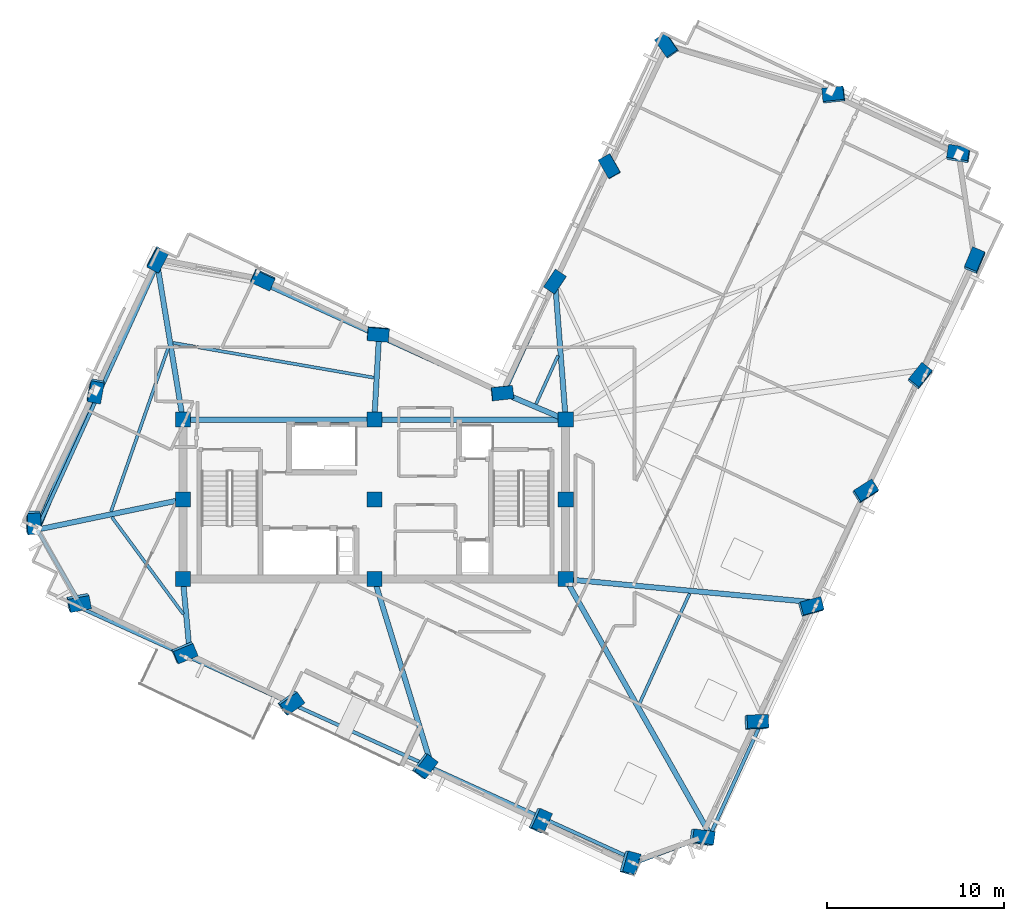
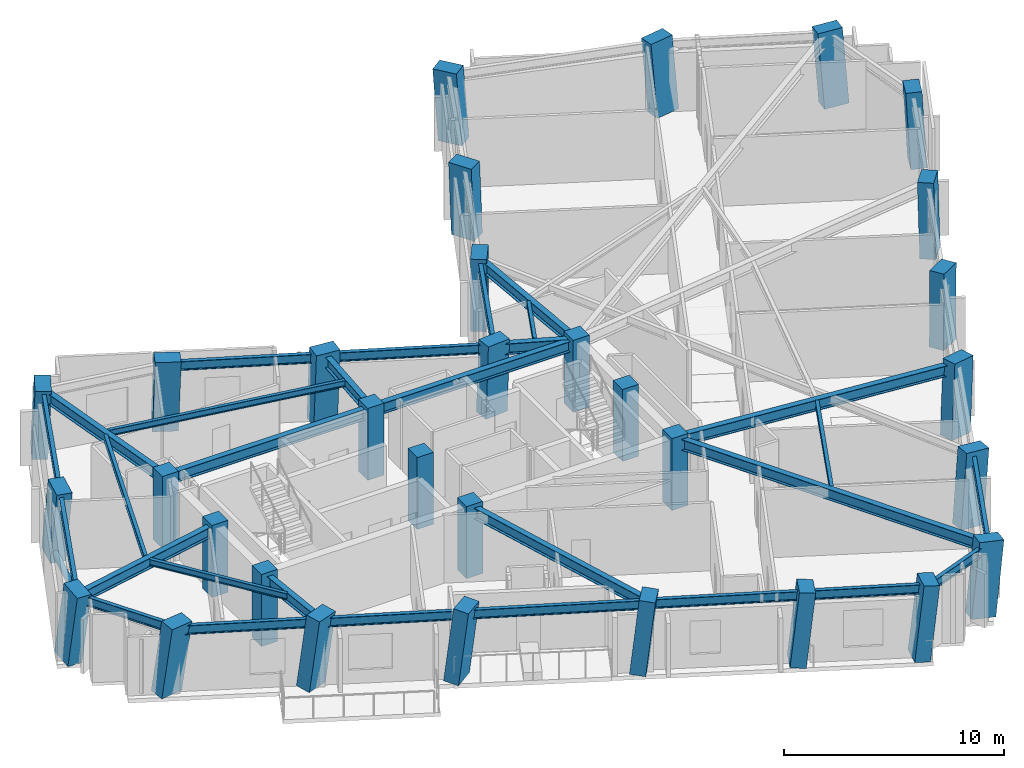
# One storey, part 1 of 13: 32 columns, 29 beams, 1 member.
"""IFC4 building model written with IfcOpenShell, lengths in metres."""

from ifc_helpers import new_model, si_unit, direction, frame, origin, origin_2d, place, context, subcontext, project, spatial, rectangle, hollow_circle, i_section, extrude, material, material_profile, profile_set, type_object, element, save


model = new_model("IFC4")

# Units and contexts
model_context = context("Model", 3, precision=1e-05, world=origin(), true_north=direction((0.0, 1.0)))
body_context = subcontext(model_context, "Body", "Model", "MODEL_VIEW")
ifc_project = project(units=[si_unit("LENGTHUNIT", "METRE"), si_unit("AREAUNIT", "SQUARE_METRE"), si_unit("VOLUMEUNIT", "CUBIC_METRE"), si_unit("PLANEANGLEUNIT", "RADIAN"), si_unit("MASSUNIT", "GRAM", prefix="KILO")], contexts=[model_context])

# Site, building, storey
site_placement = place(None, origin())
site = spatial("IfcSite", under=ifc_project, at=site_placement, CompositionType="ELEMENT")
building_placement = place(site_placement, origin())
building = spatial("IfcBuilding", under=site, at=building_placement, Name="Gaonmaruhae Medical Tower", CompositionType="ELEMENT")
storey_placement = place(building_placement, frame((0.0, 0.0, 300.60009765625)))
storey = spatial("IfcBuildingStorey", under=building, at=storey_placement, Name="L72", CompositionType="ELEMENT", Elevation=300.60009765625)

# Columns
ifc_material_1 = material(Name="Concrete C50/60", Category="concrete")
ifc_material_profile_1 = material_profile(ifc_material_1, rectangle(XDim=0.85009765625, YDim=0.85009765625, at=origin_2d()), Name="RC-850x850")
ifc_profile_set_1 = profile_set([ifc_material_profile_1], Name="Concrete C50/60")
column_type_1 = type_object("IfcColumnType", Name="CC-06 Upper Core Column (RC-850x850)", PredefinedType="COLUMN", material=ifc_profile_set_1)
for number, where, z_axis, x_axis, name in (
    (1, (14.0, 7.800048828125, 0.0), (0.0, 0.0, 1.0), (1.0, 0.0, 0.0), "L72 Plumb Core Column CC11"),
    (2, (14.0, 12.300048828125, 0.0), (0.0, 0.0, 1.0), (1.0, 0.0, 0.0), "L72 Plumb Core Column CC12"),
    (3, (14.0, 16.800048828125, 0.0), (0.0, 0.0, 1.0), (1.0, 0.0, 0.0), "L72 Plumb Core Column CC13"),
    (4, (24.800048828125, 7.800048828125, 0.0), (0.0, 0.0, 1.0), (1.0, 0.0, 0.0), "L72 Plumb Core Column CC21"),
    (5, (24.800048828125, 12.300048828125, 0.0), (0.0, 0.0, 1.0), (1.0, 0.0, 0.0), "L72 Plumb Core Column CC22"),
    (6, (24.800048828125, 16.800048828125, 0.0), (0.0, 0.0, 1.0), (1.0, 0.0, 0.0), "L72 Plumb Core Column CC23"),
    (7, (35.60009765625, 7.800048828125, 0.0), (0.0, 0.0, 1.0), (1.0, 0.0, 0.0), "L72 Plumb Core Column CC31"),
    (8, (35.60009765625, 12.300048828125, 0.0), (0.0, 0.0, 1.0), (1.0, 0.0, 0.0), "L72 Plumb Core Column CC32"),
    (9, (35.60009765625, 16.800048828125, 0.0), (0.0, 0.0, 1.0), (1.0, 0.0, 0.0), "L72 Plumb Core Column CC33"),
):
    element("IfcColumn", number, at=place(storey_placement, frame(where, z_axis=z_axis, x_axis=x_axis)), inside=storey, type_object=column_type_1, Name=name, PredefinedType="COLUMN", context=body_context, shape_type="SweptSolid", body=[
        extrude(rectangle(XDim=0.85009765625, YDim=0.85009765625, at=origin_2d()), origin(), (0.0, 0.0, 1.0), 4.0),
    ])
ifc_material_profile_2 = material_profile(ifc_material_1, rectangle(XDim=1.199951171875, YDim=0.75, at=origin_2d()), Name="RC-1200x750")
ifc_profile_set_2 = profile_set([ifc_material_profile_2], Name="Concrete C50/60")
column_type_2 = type_object("IfcColumnType", Name="TC-03 Upper Raking Tube Pier Column (RC-1200x750)", PredefinedType="COLUMN", material=ifc_profile_set_2)
column_1_placement = place(storey_placement, frame((43.2333984375, -6.78515625, 0.001708984375), z_axis=(0.129405517945, 0.040673764293, 0.990757213864), x_axis=(-0.982420567926, 0.140836931585, 0.122534837571)))
element("IfcColumn", 10, at=column_1_placement, inside=storey, type_object=column_type_2, Name="L72 Perimeter Tube Column S01", PredefinedType="COLUMN", context=body_context, shape_type="SweptSolid", body=[
    extrude(rectangle(XDim=1.199951171875, YDim=0.75, at=origin_2d()), origin(), (0.0, 0.0, 1.0), 4.03369140625),
])
column_2_placement = place(storey_placement, frame((46.32177734375, -0.281005859375, 0.001708984375), z_axis=(0.102792676541, 0.053216751669, 0.993278230402), x_axis=(-0.994016104987, -0.031602648688, 0.104562209344)))
element("IfcColumn", 11, at=column_2_placement, inside=storey, type_object=column_type_2, Name="L72 Perimeter Tube Column S02", PredefinedType="COLUMN", context=body_context, shape_type="SweptSolid", body=[
    extrude(rectangle(XDim=1.199951171875, YDim=0.75, at=origin_2d()), origin(), (0.0, 0.0, 1.0), 4.0234375),
])
column_3_placement = place(storey_placement, frame((49.409912109375, 6.222900390625, 0.001708984375), z_axis=(0.076097885898, 0.065825886923, 0.994925155161), x_axis=(-0.960348129211, -0.263571984323, 0.090891582674)))
element("IfcColumn", 12, at=column_3_placement, inside=storey, type_object=column_type_2, Name="L72 Perimeter Tube Column S03", PredefinedType="COLUMN", context=body_context, shape_type="SweptSolid", body=[
    extrude(rectangle(XDim=1.199951171875, YDim=0.75, at=origin_2d()), origin(), (0.0, 0.0, 1.0), 4.0166015625),
])
column_4_placement = place(storey_placement, frame((52.498291015625, 12.72705078125, 0.001708984375), z_axis=(0.04914978731, 0.078408509707, 0.995708995647), x_axis=(-0.841156685333, -0.534291503699, 0.083594376567)))
element("IfcColumn", 13, at=column_4_placement, inside=storey, type_object=column_type_2, Name="L72 Perimeter Tube Column S04", PredefinedType="COLUMN", context=body_context, shape_type="SweptSolid", body=[
    extrude(rectangle(XDim=1.199951171875, YDim=0.75, at=origin_2d()), origin(), (0.0, 0.0, 1.0), 4.013671875),
])
column_5_placement = place(storey_placement, frame((55.586669921875, 19.23095703125, 0.001708984375), z_axis=(0.022200352556, 0.090930211153, 0.995609783523), x_axis=(-0.630008671759, -0.771971398071, 0.084553143461)))
element("IfcColumn", 14, at=column_5_placement, inside=storey, type_object=column_type_2, Name="L72 Perimeter Tube Column S05", PredefinedType="COLUMN", context=body_context, shape_type="SweptSolid", body=[
    extrude(rectangle(XDim=1.199951171875, YDim=0.75, at=origin_2d()), origin(), (0.0, 0.0, 1.0), 4.013916015625),
])
column_6_placement = place(storey_placement, frame((58.6748046875, 25.735107421875, 0.001708984375), z_axis=(-0.004678768138, 0.103358241585, 0.994633190189), x_axis=(-0.387865677162, -0.916965064214, 0.093462759917)))
element("IfcColumn", 15, at=column_6_placement, inside=storey, type_object=column_type_2, Name="L72 Perimeter Tube Column S06", PredefinedType="COLUMN", context=body_context, shape_type="SweptSolid", body=[
    extrude(rectangle(XDim=1.199951171875, YDim=0.75, at=origin_2d()), origin(), (0.0, 0.0, 1.0), 4.017822265625),
])
column_7_placement = place(storey_placement, frame((57.76953125, 31.75537109375, 0.001708984375), z_axis=(-0.029469488843, 0.099406358241, 0.9946104389), x_axis=(0.987337085248, -0.152274829921, 0.04447309598)))
element("IfcColumn", 16, at=column_7_placement, inside=storey, type_object=column_type_2, Name="L72 Perimeter Tube Column E01", PredefinedType="COLUMN", context=body_context, shape_type="SweptSolid", body=[
    extrude(rectangle(XDim=1.199951171875, YDim=0.75, at=origin_2d()), origin(), (0.0, 0.0, 1.0), 4.01806640625),
])
column_8_placement = place(storey_placement, frame((50.7236328125, 35.100830078125, 0.001708984375), z_axis=(-0.043165701388, 0.070380184492, 0.996585847709), x_axis=(0.993531986514, 0.10788896323, 0.03541416928)))
element("IfcColumn", 17, at=column_8_placement, inside=storey, type_object=column_type_2, Name="L72 Perimeter Tube Column E02", PredefinedType="COLUMN", context=body_context, shape_type="SweptSolid", body=[
    extrude(rectangle(XDim=1.199951171875, YDim=0.75, at=origin_2d()), origin(), (0.0, 0.0, 1.0), 4.010009765625),
])
column_9_placement = place(storey_placement, frame((41.31787109375, 37.906494140625, 0.001708984375), z_axis=(-0.054507164041, 0.031460510788, 0.998017637785), x_axis=(0.566397180495, -0.822169184198, 0.056851266321)))
element("IfcColumn", 18, at=column_9_placement, inside=storey, type_object=column_type_2, Name="L72 Perimeter Tube Column E03", PredefinedType="COLUMN", context=body_context, shape_type="SweptSolid", body=[
    extrude(rectangle(XDim=1.199951171875, YDim=0.75, at=origin_2d()), origin(), (0.0, 0.0, 1.0), 4.00439453125),
])
column_10_placement = place(storey_placement, frame((38.079345703125, 31.08642578125, 0.001708984375), z_axis=(-0.026194684304, 0.018317961052, 0.999489014856), x_axis=(0.494092812205, -0.868929550231, 0.028874377268)))
element("IfcColumn", 19, at=column_10_placement, inside=storey, type_object=column_type_2, Name="L72 Perimeter Tube Column EN01", PredefinedType="COLUMN", context=body_context, shape_type="SweptSolid", body=[
    extrude(rectangle(XDim=1.199951171875, YDim=0.75, at=origin_2d()), origin(), (0.0, 0.0, 1.0), 3.998291015625),
])
column_11_placement = place(storey_placement, frame((34.990966796875, 24.582275390625, 0.001708984375), z_axis=(0.000855260499, 0.005803553386, 0.999982793501), x_axis=(-0.556050371387, -0.83113170028, 0.005299176292)))
element("IfcColumn", 20, at=column_11_placement, inside=storey, type_object=column_type_2, Name="L72 Perimeter Tube Column EN02", PredefinedType="COLUMN", context=body_context, shape_type="SweptSolid", body=[
    extrude(rectangle(XDim=1.199951171875, YDim=0.75, at=origin_2d()), origin(), (0.0, 0.0, 1.0), 3.996337890625),
])
column_12_placement = place(storey_placement, frame((32.010009765625, 18.30419921875, 0.001708984375), z_axis=(0.026991866876, -0.006412095072, 0.999615088001), x_axis=(-0.993728764911, -0.108720172199, 0.026135530332)))
element("IfcColumn", 21, at=column_12_placement, inside=storey, type_object=column_type_2, Name="L72 Perimeter Tube Column KN01", PredefinedType="COLUMN", context=body_context, shape_type="SweptSolid", body=[
    extrude(rectangle(XDim=1.199951171875, YDim=0.75, at=origin_2d()), origin(), (0.0, 0.0, 1.0), 3.997802734375),
])
column_13_placement = place(storey_placement, frame((25.009033203125, 21.628173828125, 0.001708984375), z_axis=(0.013491405719, -0.03546835621, 0.999279729445), x_axis=(-0.996704976374, 0.079462236708, 0.016277070029)))
element("IfcColumn", 22, at=column_13_placement, inside=storey, type_object=column_type_2, Name="L72 Perimeter Tube Column NE01", PredefinedType="COLUMN", context=body_context, shape_type="SweptSolid", body=[
    extrude(rectangle(XDim=1.199951171875, YDim=0.75, at=origin_2d()), origin(), (0.0, 0.0, 1.0), 3.999267578125),
])
column_14_placement = place(storey_placement, frame((18.505126953125, 24.716552734375, 0.001708984375), z_axis=(0.000853606278, -0.062435202046, 0.998048654576), x_axis=(-0.909103236129, 0.415708995205, 0.026783154524)))
element("IfcColumn", 23, at=column_14_placement, inside=storey, type_object=column_type_2, Name="L72 Perimeter Tube Column NE02", PredefinedType="COLUMN", context=body_context, shape_type="SweptSolid", body=[
    extrude(rectangle(XDim=1.199951171875, YDim=0.75, at=origin_2d()), origin(), (0.0, 0.0, 1.0), 4.004150390625),
])
column_15_placement = place(storey_placement, frame((12.5771484375, 25.870849609375, 0.001708984375), z_axis=(-0.003712450328, -0.086846993742, 0.996214744616), x_axis=(0.466977398551, 0.880775881553, 0.078523599749)))
element("IfcColumn", 24, at=column_15_placement, inside=storey, type_object=column_type_2, Name="L72 Perimeter Tube Column N01", PredefinedType="COLUMN", context=body_context, shape_type="SweptSolid", body=[
    extrude(rectangle(XDim=1.199951171875, YDim=0.75, at=origin_2d()), origin(), (0.0, 0.0, 1.0), 4.011474609375),
])
column_16_placement = place(storey_placement, frame((9.06005859375, 18.46337890625, 0.001708984375), z_axis=(0.026915333163, -0.100917310121, 0.994530673915), x_axis=(0.182932695043, 0.978587726535, 0.094348770839)))
element("IfcColumn", 25, at=column_16_placement, inside=storey, type_object=column_type_2, Name="L72 Perimeter Tube Column N02", PredefinedType="COLUMN", context=body_context, shape_type="SweptSolid", body=[
    extrude(rectangle(XDim=1.199951171875, YDim=0.75, at=origin_2d()), origin(), (0.0, 0.0, 1.0), 4.018310546875),
])
column_17_placement = place(storey_placement, frame((5.542724609375, 11.05615234375, 0.001708984375), z_axis=(0.057434751966, -0.114869503932, 0.991718834314), x_axis=(-0.016987120789, 0.993102357806, 0.116013553724)))
element("IfcColumn", 26, at=column_17_placement, inside=storey, type_object=column_type_2, Name="L72 Perimeter Tube Column N03", PredefinedType="COLUMN", context=body_context, shape_type="SweptSolid", body=[
    extrude(rectangle(XDim=1.199951171875, YDim=0.75, at=origin_2d()), origin(), (0.0, 0.0, 1.0), 4.02978515625),
])
column_18_placement = place(storey_placement, frame((8.09521484375, 6.52294921875, 0.001708984375), z_axis=(0.07596860376, -0.104199360819, 0.991650777465), x_axis=(-0.980520295102, -0.188468849374, 0.055312238325)))
element("IfcColumn", 27, at=column_18_placement, inside=storey, type_object=column_type_2, Name="L72 Perimeter Tube Column W01", PredefinedType="COLUMN", context=body_context, shape_type="SweptSolid", body=[
    extrude(rectangle(XDim=1.199951171875, YDim=0.75, at=origin_2d()), origin(), (0.0, 0.0, 1.0), 4.030029296875),
])
column_19_placement = place(storey_placement, frame((14.05712890625, 3.692138671875, 0.001708984375), z_axis=(0.087534479308, -0.079709151636, 0.992967353984), x_axis=(-0.923118910106, -0.38114665119, 0.050780981588)))
element("IfcColumn", 28, at=column_19_placement, inside=storey, type_object=column_type_2, Name="L72 Perimeter Tube Column W02", PredefinedType="COLUMN", context=body_context, shape_type="SweptSolid", body=[
    extrude(rectangle(XDim=1.199951171875, YDim=0.75, at=origin_2d()), origin(), (0.0, 0.0, 1.0), 4.024658203125),
])
column_20_placement = place(storey_placement, frame((20.064453125, 0.83984375, 0.001708984375), z_axis=(0.0991191026, -0.054931284662, 0.993558230536), x_axis=(-0.810633069732, -0.583533442559, 0.04860810296)))
element("IfcColumn", 29, at=column_20_placement, inside=storey, type_object=column_type_2, Name="L72 Perimeter Tube Column W03", PredefinedType="COLUMN", context=body_context, shape_type="SweptSolid", body=[
    extrude(rectangle(XDim=1.199951171875, YDim=0.75, at=origin_2d()), origin(), (0.0, 0.0, 1.0), 4.022216796875),
])
column_21_placement = place(storey_placement, frame((27.607177734375, -2.74169921875, 0.001708984375), z_axis=(0.113649822124, -0.023725082996, 0.993237553845), x_axis=(-0.601641458165, -0.797212385481, 0.049799279639)))
element("IfcColumn", 30, at=column_21_placement, inside=storey, type_object=column_type_2, Name="L72 Perimeter Tube Column W04", PredefinedType="COLUMN", context=body_context, shape_type="SweptSolid", body=[
    extrude(rectangle(XDim=1.199951171875, YDim=0.75, at=origin_2d()), origin(), (0.0, 0.0, 1.0), 4.0234375),
])
column_22_placement = place(storey_placement, frame((34.111328125, -5.830078125, 0.001708984375), z_axis=(0.125935936473, 0.003151428632, 0.992033370609), x_axis=(-0.402786754618, -0.91369744509, 0.054035258308)))
element("IfcColumn", 31, at=column_22_placement, inside=storey, type_object=column_type_2, Name="L72 Perimeter Tube Column W05", PredefinedType="COLUMN", context=body_context, shape_type="SweptSolid", body=[
    extrude(rectangle(XDim=1.199951171875, YDim=0.75, at=origin_2d()), origin(), (0.0, 0.0, 1.0), 4.0283203125),
])
column_23_placement = place(storey_placement, frame((39.169921875, -8.232177734375, 0.001708984375), z_axis=(0.135422538968, 0.02402267559, 0.990496666828), x_axis=(-0.260548062696, -0.963656772519, 0.05899433704)))
element("IfcColumn", 32, at=column_23_placement, inside=storey, type_object=column_type_2, Name="L72 Perimeter Tube Column W06", PredefinedType="COLUMN", context=body_context, shape_type="SweptSolid", body=[
    extrude(rectangle(XDim=1.199951171875, YDim=0.75, at=origin_2d()), origin(), (0.0, 0.0, 1.0), 4.03466796875),
])

# Beams
ifc_material_2 = material(Name="Steel SM355", Category="steel")
ifc_material_profile_3 = material_profile(ifc_material_2, i_section(OverallWidth=0.175048828125, OverallDepth=0.35009765625, WebThickness=0.007080078125, FlangeThickness=0.010986328125, FilletRadius=0.012939453125, at=origin_2d()), Name="H-350x175x7x11")
ifc_profile_set_3 = profile_set([ifc_material_profile_3], Name="Steel SM355")
beam_type_1 = type_object("IfcBeamType", Name="FJ-02 Upper Zone Ward Floor Joist (H-350x175x7x11)", PredefinedType="JOIST", material=ifc_profile_set_3)
beam_1_placement = place(storey_placement, frame((39.757080078125, 0.763916015625, 3.60498046875), z_axis=(0.413902392254, 0.910321267293, 0.0), x_axis=(-0.910321267293, 0.413902392254, 0.0)))
element("IfcBeam", 33, at=beam_1_placement, inside=storey, type_object=beam_type_1, Name="L72 Secondary Floor Joist FJ01", PredefinedType="JOIST", context=body_context, shape_type="SweptSolid", body=[
    extrude(i_section(OverallWidth=0.175048828125, OverallDepth=0.35009765625, WebThickness=0.007080078125, FlangeThickness=0.010986328125, FilletRadius=0.012939453125, at=origin_2d()), origin(), (0.0, 0.0, 1.0), 6.843505859375),
])
beam_2_placement = place(storey_placement, frame((35.166259765625, 20.41455078125, 3.60498046875), z_axis=(-0.413894839613, -0.91032470127, 0.0), x_axis=(0.91032470127, -0.413894839613, 0.0)))
element("IfcBeam", 34, at=beam_2_placement, inside=storey, type_object=beam_type_1, Name="L72 Secondary Floor Joist FJ05", PredefinedType="JOIST", context=body_context, shape_type="SweptSolid", body=[
    extrude(i_section(OverallWidth=0.175048828125, OverallDepth=0.35009765625, WebThickness=0.007080078125, FlangeThickness=0.010986328125, FilletRadius=0.012939453125, at=origin_2d()), origin(), (0.0, 0.0, 1.0), 3.00244140625),
])
beam_3_placement = place(storey_placement, frame((24.77685546875, 19.169921875, 3.60498046875), z_axis=(-0.985326968896, 0.170677369227, 0.0), x_axis=(-0.170677369227, -0.985326968896, 0.0)))
element("IfcBeam", 35, at=beam_3_placement, inside=storey, type_object=beam_type_1, Name="L72 Secondary Floor Joist FJ07", PredefinedType="JOIST", context=body_context, shape_type="SweptSolid", body=[
    extrude(i_section(OverallWidth=0.175048828125, OverallDepth=0.35009765625, WebThickness=0.007080078125, FlangeThickness=0.010986328125, FilletRadius=0.012939453125, at=origin_2d()), origin(), (0.0, 0.0, 1.0), 11.501953125),
])
beam_4_placement = place(storey_placement, frame((13.17578125, 20.85986328125, 3.60498046875), z_axis=(-0.329818306363, -0.944044429456, 0.0), x_axis=(0.944044429456, -0.329818306363, 0.0)))
element("IfcBeam", 36, at=beam_4_placement, inside=storey, type_object=beam_type_1, Name="L72 Secondary Floor Joist FJ08", PredefinedType="JOIST", context=body_context, shape_type="SweptSolid", body=[
    extrude(i_section(OverallWidth=0.175048828125, OverallDepth=0.35009765625, WebThickness=0.007080078125, FlangeThickness=0.010986328125, FilletRadius=0.012939453125, at=origin_2d()), origin(), (0.0, 0.0, 1.0), 9.790283203125),
])
beam_5_placement = place(storey_placement, frame((9.988525390625, 11.308837890625, 3.60498046875), z_axis=(0.59312568588, -0.805109881165, 0.0), x_axis=(0.805109881165, 0.59312568588, 0.0)))
element("IfcBeam", 37, at=beam_5_placement, inside=storey, type_object=beam_type_1, Name="L72 Secondary Floor Joist FJ09", PredefinedType="JOIST", context=body_context, shape_type="SweptSolid", body=[
    extrude(i_section(OverallWidth=0.175048828125, OverallDepth=0.35009765625, WebThickness=0.007080078125, FlangeThickness=0.010986328125, FilletRadius=0.012939453125, at=origin_2d()), origin(), (0.0, 0.0, 1.0), 6.812255859375),
])

# Member
ifc_material_profile_4 = material_profile(ifc_material_2, hollow_circle(Radius=0.1591796875, WallThickness=0.01025390625, at=origin_2d()), Name="CHS-318.5x10.3")
ifc_profile_set_4 = profile_set([ifc_material_profile_4], Name="Steel SM355")
member_type = type_object("IfcMemberType", Name="PB-03 Perimeter Solid-Bay Tube Brace Upper (CHS-318.5x10.3)", PredefinedType="BRACE", material=ifc_profile_set_4)
member_placement = place(storey_placement, frame((9.059814453125, 18.463623046875, 0.25), z_axis=(-0.359544085137, -0.861334786106, 0.358929571206), x_axis=(0.922827738918, -0.385212881773, 0.0)))
element("IfcMember", 38, at=member_placement, inside=storey, type_object=member_type, Name="L72 Perimeter Tube Solid-Bay Brace N02-N03", PredefinedType="BRACE", context=body_context, shape_type="SweptSolid", body=[
    extrude(hollow_circle(Radius=0.1591796875, WallThickness=0.01025390625, at=origin_2d()), origin(), (0.0, 0.0, 1.0), 9.1376953125),
])

# Beams
ifc_material_3 = material(Name="Steel SM420", Category="steel")
ifc_material_profile_5 = material_profile(ifc_material_3, i_section(OverallWidth=0.300048828125, OverallDepth=0.60009765625, WebThickness=0.011962890625, FlangeThickness=0.02001953125, FilletRadius=0.012939453125, at=origin_2d()), Name="H-600x300x12x20")
ifc_profile_set_5 = profile_set([ifc_material_profile_5], Name="Steel SM420")
beam_type_2 = type_object("IfcBeamType", Name="PG-04 Zone 4 Radial Floor Girder (H-600x300x12x20)", PredefinedType="BEAM", material=ifc_profile_set_5)
for number, where, z_axis, x_axis, name in (
    (39, (14.050048828125, 16.800048828125, 3.47998046875), (1.0, 0.0, 0.0), (0.0, 1.0, 0.0), "L72 Beam BM-L72-CG-N1"),
    (40, (24.85009765625, 16.800048828125, 3.47998046875), (1.0, 0.0, 0.0), (0.0, 1.0, 0.0), "L72 Beam BM-L72-CG-N2"),
):
    element("IfcBeam", number, at=place(storey_placement, frame(where, z_axis=z_axis, x_axis=x_axis)), inside=storey, type_object=beam_type_2, Name=name, PredefinedType="BEAM", context=body_context, shape_type="SweptSolid", body=[
        extrude(i_section(OverallWidth=0.300048828125, OverallDepth=0.60009765625, WebThickness=0.011962890625, FlangeThickness=0.02001953125, FilletRadius=0.012939453125, at=origin_2d()), origin(), (0.0, 0.0, 1.0), 10.699951171875),
    ])
beam_6_placement = place(storey_placement, frame((35.62451171875, 7.756591796875, 3.47998046875), z_axis=(0.492263885641, -0.870446016071, 0.0), x_axis=(0.870446016071, 0.492263885641, 0.0)))
element("IfcBeam", 41, at=beam_6_placement, inside=storey, type_object=beam_type_2, Name="L72 Radial Primary Girder S01", PredefinedType="BEAM", context=body_context, shape_type="SweptSolid", body=[
    extrude(i_section(OverallWidth=0.300048828125, OverallDepth=0.60009765625, WebThickness=0.011962890625, FlangeThickness=0.02001953125, FilletRadius=0.012939453125, at=origin_2d()), origin(), (0.0, 0.0, 1.0), 16.4677734375),
])
beam_7_placement = place(storey_placement, frame((35.64990234375, 7.79541015625, 3.47998046875), z_axis=(0.995705158121, -0.092580981259, 0.0), x_axis=(0.092580981259, 0.995705158121, 0.0)))
element("IfcBeam", 42, at=beam_7_placement, inside=storey, type_object=beam_type_2, Name="L72 Radial Primary Girder S03", PredefinedType="BEAM", context=body_context, shape_type="SweptSolid", body=[
    extrude(i_section(OverallWidth=0.300048828125, OverallDepth=0.60009765625, WebThickness=0.011962890625, FlangeThickness=0.02001953125, FilletRadius=0.012939453125, at=origin_2d()), origin(), (0.0, 0.0, 1.0), 14.07666015625),
])
beam_8_placement = place(storey_placement, frame((35.59619140625, 16.849853515625, 3.47998046875), z_axis=(-0.077360774052, 0.997003164808, 0.0), x_axis=(-0.997003164808, -0.077360774052, 0.0)))
element("IfcBeam", 43, at=beam_8_placement, inside=storey, type_object=beam_type_2, Name="L72 Radial Primary Girder EN02", PredefinedType="BEAM", context=body_context, shape_type="SweptSolid", body=[
    extrude(i_section(OverallWidth=0.300048828125, OverallDepth=0.60009765625, WebThickness=0.011962890625, FlangeThickness=0.02001953125, FilletRadius=0.012939453125, at=origin_2d()), origin(), (0.0, 0.0, 1.0), 7.728759765625),
])
beam_9_placement = place(storey_placement, frame((35.553955078125, 16.819580078125, 3.47998046875), z_axis=(-0.920463299632, 0.390829008687, 0.0), x_axis=(-0.390829008687, -0.920463299632, 0.0)))
element("IfcBeam", 44, at=beam_9_placement, inside=storey, type_object=beam_type_2, Name="L72 Radial Primary Girder KN01", PredefinedType="BEAM", context=body_context, shape_type="SweptSolid", body=[
    extrude(i_section(OverallWidth=0.300048828125, OverallDepth=0.60009765625, WebThickness=0.011962890625, FlangeThickness=0.02001953125, FilletRadius=0.012939453125, at=origin_2d()), origin(), (0.0, 0.0, 1.0), 3.68310546875),
])
beam_10_placement = place(storey_placement, frame((24.802734375, 16.849853515625, 3.47998046875), z_axis=(0.056014540404, 0.998429953108, 0.0), x_axis=(-0.998429953108, 0.056014540404, 0.0)))
element("IfcBeam", 45, at=beam_10_placement, inside=storey, type_object=beam_type_2, Name="L72 Radial Primary Girder NE01", PredefinedType="BEAM", context=body_context, shape_type="SweptSolid", body=[
    extrude(i_section(OverallWidth=0.300048828125, OverallDepth=0.60009765625, WebThickness=0.011962890625, FlangeThickness=0.02001953125, FilletRadius=0.012939453125, at=origin_2d()), origin(), (0.0, 0.0, 1.0), 4.593994140625),
])
beam_11_placement = place(storey_placement, frame((13.991943359375, 16.849365234375, 3.47998046875), z_axis=(-0.162632083234, 0.986686781863, 0.0), x_axis=(-0.986686781863, -0.162632083234, 0.0)))
element("IfcBeam", 46, at=beam_11_placement, inside=storey, type_object=beam_type_2, Name="L72 Radial Primary Girder N01", PredefinedType="BEAM", context=body_context, shape_type="SweptSolid", body=[
    extrude(i_section(OverallWidth=0.300048828125, OverallDepth=0.60009765625, WebThickness=0.011962890625, FlangeThickness=0.02001953125, FilletRadius=0.012939453125, at=origin_2d()), origin(), (0.0, 0.0, 1.0), 8.739990234375),
])
beam_12_placement = place(storey_placement, frame((13.950927734375, 12.289794921875, 3.47998046875), z_axis=(-0.979136487425, -0.203203688433, 0.0), x_axis=(0.203203688433, -0.979136487425, 0.0)))
element("IfcBeam", 47, at=beam_12_placement, inside=storey, type_object=beam_type_2, Name="L72 Radial Primary Girder N03", PredefinedType="BEAM", context=body_context, shape_type="SweptSolid", body=[
    extrude(i_section(OverallWidth=0.300048828125, OverallDepth=0.60009765625, WebThickness=0.011962890625, FlangeThickness=0.02001953125, FilletRadius=0.012939453125, at=origin_2d()), origin(), (0.0, 0.0, 1.0), 8.30078125),
])
beam_13_placement = place(storey_placement, frame((14.004638671875, 7.750244140625, 3.47998046875), z_axis=(0.092089952904, -0.995750691978, 0.0), x_axis=(0.995750691978, 0.092089952904, 0.0)))
element("IfcBeam", 48, at=beam_13_placement, inside=storey, type_object=beam_type_2, Name="L72 Radial Primary Girder W02", PredefinedType="BEAM", context=body_context, shape_type="SweptSolid", body=[
    extrude(i_section(OverallWidth=0.300048828125, OverallDepth=0.60009765625, WebThickness=0.011962890625, FlangeThickness=0.02001953125, FilletRadius=0.012939453125, at=origin_2d()), origin(), (0.0, 0.0, 1.0), 4.347900390625),
])
beam_14_placement = place(storey_placement, frame((24.814697265625, 7.752197265625, 3.47998046875), z_axis=(0.293380989583, -0.955995604044, 0.0), x_axis=(0.955995604044, 0.293380989583, 0.0)))
element("IfcBeam", 49, at=beam_14_placement, inside=storey, type_object=beam_type_2, Name="L72 Radial Primary Girder W04", PredefinedType="BEAM", context=body_context, shape_type="SweptSolid", body=[
    extrude(i_section(OverallWidth=0.300048828125, OverallDepth=0.60009765625, WebThickness=0.011962890625, FlangeThickness=0.02001953125, FilletRadius=0.012939453125, at=origin_2d()), origin(), (0.0, 0.0, 1.0), 11.027099609375),
])
ifc_material_profile_6 = material_profile(ifc_material_2, i_section(OverallWidth=0.199951171875, OverallDepth=0.5, WebThickness=0.010009765625, FlangeThickness=0.01611328125, FilletRadius=0.012939453125, at=origin_2d()), Name="H-500x200x10x16")
ifc_profile_set_6 = profile_set([ifc_material_profile_6], Name="Steel SM355")
beam_type_3 = type_object("IfcBeamType", Name="SP-02 Upper Perimeter Spandrel Beam (H-500x200x10x16)", PredefinedType="SPANDREL", material=ifc_profile_set_6)
beam_15_placement = place(storey_placement, frame((43.772216796875, -6.584716796875, 3.52978515625), z_axis=(0.413880447624, 0.910331244699, 0.0), x_axis=(-0.910331244699, 0.413880447624, 0.0)))
element("IfcBeam", 50, at=beam_15_placement, inside=storey, type_object=beam_type_3, Name="L72 Perimeter Spandrel Beam S01-S02", PredefinedType="SPANDREL", context=body_context, shape_type="SweptSolid", body=[
    extrude(i_section(OverallWidth=0.199951171875, OverallDepth=0.5, WebThickness=0.010009765625, FlangeThickness=0.01611328125, FilletRadius=0.012939453125, at=origin_2d()), origin(), (0.0, 0.0, 1.0), 7.119873046875),
])
beam_16_placement = place(storey_placement, frame((34.97802734375, 24.56884765625, 3.52978515625), z_axis=(-0.413902007939, -0.910321442033, 0.0), x_axis=(0.910321442033, -0.413902007939, 0.0)))
element("IfcBeam", 51, at=beam_16_placement, inside=storey, type_object=beam_type_3, Name="L72 Perimeter Spandrel Beam EN02-KN01", PredefinedType="SPANDREL", context=body_context, shape_type="SweptSolid", body=[
    extrude(i_section(OverallWidth=0.199951171875, OverallDepth=0.5, WebThickness=0.010009765625, FlangeThickness=0.01611328125, FilletRadius=0.012939453125, at=origin_2d()), origin(), (0.0, 0.0, 1.0), 6.8701171875),
])
beam_17_placement = place(storey_placement, frame((32.08154296875, 18.295166015625, 3.52978515625), z_axis=(-0.910325049439, 0.413894073844, 0.0), x_axis=(-0.413894073844, -0.910325049439, 0.0)))
element("IfcBeam", 52, at=beam_17_placement, inside=storey, type_object=beam_type_3, Name="L72 Perimeter Spandrel Beam KN01-NE01", PredefinedType="SPANDREL", context=body_context, shape_type="SweptSolid", body=[
    extrude(i_section(OverallWidth=0.199951171875, OverallDepth=0.5, WebThickness=0.010009765625, FlangeThickness=0.01611328125, FilletRadius=0.012939453125, at=origin_2d()), origin(), (0.0, 0.0, 1.0), 7.669921875),
])
beam_18_placement = place(storey_placement, frame((25.0263671875, 21.5029296875, 3.52978515625), z_axis=(-0.910318325049, 0.413908863254, 0.0), x_axis=(-0.413908863254, -0.910318325049, 0.0)))
element("IfcBeam", 53, at=beam_18_placement, inside=storey, type_object=beam_type_3, Name="L72 Perimeter Spandrel Beam NE01-NE02", PredefinedType="SPANDREL", context=body_context, shape_type="SweptSolid", body=[
    extrude(i_section(OverallWidth=0.199951171875, OverallDepth=0.5, WebThickness=0.010009765625, FlangeThickness=0.01611328125, FilletRadius=0.012939453125, at=origin_2d()), origin(), (0.0, 0.0, 1.0), 7.119873046875),
])
for number, where, z_axis, x_axis, name in (
    (54, (12.5458984375, 25.48583984375, 3.52978515625), (-0.41392073426, -0.910312927377, 0.0), (0.910312927377, -0.41392073426, 0.0), "L72 Perimeter Spandrel Beam N01-N02"),
    (55, (9.15185546875, 18.021240234375, 3.52978515625), (-0.413895818887, -0.910324256025, 0.0), (0.910324256025, -0.413895818887, 0.0), "L72 Perimeter Spandrel Beam N02-N03"),
):
    element("IfcBeam", number, at=place(storey_placement, frame(where, z_axis=z_axis, x_axis=x_axis)), inside=storey, type_object=beam_type_3, Name=name, PredefinedType="SPANDREL", context=body_context, shape_type="SweptSolid", body=[
        extrude(i_section(OverallWidth=0.199951171875, OverallDepth=0.5, WebThickness=0.010009765625, FlangeThickness=0.01611328125, FilletRadius=0.012939453125, at=origin_2d()), origin(), (0.0, 0.0, 1.0), 8.1201171875),
    ])
beam_19_placement = place(storey_placement, frame((5.794677734375, 10.558349609375, 3.52978515625), z_axis=(0.50500861632, -0.863114301493, 0.0), x_axis=(0.863114301493, 0.50500861632, 0.0)))
element("IfcBeam", 56, at=beam_19_placement, inside=storey, type_object=beam_type_3, Name="L72 Perimeter Spandrel Beam N03-W01", PredefinedType="SPANDREL", context=body_context, shape_type="SweptSolid", body=[
    extrude(i_section(OverallWidth=0.199951171875, OverallDepth=0.5, WebThickness=0.010009765625, FlangeThickness=0.01611328125, FilletRadius=0.012939453125, at=origin_2d()), origin(), (0.0, 0.0, 1.0), 5.1220703125),
])
beam_20_placement = place(storey_placement, frame((8.43798828125, 6.08642578125, 3.52978515625), z_axis=(0.910316459147, -0.413912966946, 0.0), x_axis=(0.413912966946, 0.910316459147, 0.0)))
element("IfcBeam", 57, at=beam_20_placement, inside=storey, type_object=beam_type_3, Name="L72 Perimeter Spandrel Beam W01-W02", PredefinedType="SPANDREL", context=body_context, shape_type="SweptSolid", body=[
    extrude(i_section(OverallWidth=0.199951171875, OverallDepth=0.5, WebThickness=0.010009765625, FlangeThickness=0.01611328125, FilletRadius=0.012939453125, at=origin_2d()), origin(), (0.0, 0.0, 1.0), 6.52001953125),
])
beam_21_placement = place(storey_placement, frame((14.446044921875, 3.3544921875, 3.510009765625), z_axis=(0.910330841792, -0.413881333818, 0.0), x_axis=(0.413881333818, 0.910330841792, 0.0)))
element("IfcBeam", 58, at=beam_21_placement, inside=storey, type_object=beam_type_3, Name="L72 Perimeter Spandrel Beam W02-W03", PredefinedType="SPANDREL", context=body_context, shape_type="SweptSolid", body=[
    extrude(i_section(OverallWidth=0.199951171875, OverallDepth=0.5, WebThickness=0.010009765625, FlangeThickness=0.01611328125, FilletRadius=0.012939453125, at=origin_2d()), origin(), (0.0, 0.0, 1.0), 6.570068359375),
])
beam_22_placement = place(storey_placement, frame((20.499755859375, 0.602294921875, 3.510009765625), z_axis=(0.910314909442, -0.413916375187, 0.0), x_axis=(0.413916375187, 0.910314909442, 0.0)))
element("IfcBeam", 59, at=beam_22_placement, inside=storey, type_object=beam_type_3, Name="L72 Perimeter Spandrel Beam W03-W04", PredefinedType="SPANDREL", context=body_context, shape_type="SweptSolid", body=[
    extrude(i_section(OverallWidth=0.199951171875, OverallDepth=0.5, WebThickness=0.010009765625, FlangeThickness=0.01611328125, FilletRadius=0.012939453125, at=origin_2d()), origin(), (0.0, 0.0, 1.0), 8.27001953125),
])
beam_23_placement = place(storey_placement, frame((28.100830078125, -2.853759765625, 3.52978515625), z_axis=(0.910324199274, -0.413895943706, 0.0), x_axis=(0.413895943706, 0.910324199274, 0.0)))
element("IfcBeam", 60, at=beam_23_placement, inside=storey, type_object=beam_type_3, Name="L72 Perimeter Spandrel Beam W04-W05", PredefinedType="SPANDREL", context=body_context, shape_type="SweptSolid", body=[
    extrude(i_section(OverallWidth=0.199951171875, OverallDepth=0.5, WebThickness=0.010009765625, FlangeThickness=0.01611328125, FilletRadius=0.012939453125, at=origin_2d()), origin(), (0.0, 0.0, 1.0), 7.1201171875),
])
beam_24_placement = place(storey_placement, frame((34.6552734375, -5.833984375, 3.52978515625), z_axis=(0.910324061182, -0.413896247427, 0.0), x_axis=(0.413896247427, 0.910324061182, 0.0)))
element("IfcBeam", 61, at=beam_24_placement, inside=storey, type_object=beam_type_3, Name="L72 Perimeter Spandrel Beam W05-W06", PredefinedType="SPANDREL", context=body_context, shape_type="SweptSolid", body=[
    extrude(i_section(OverallWidth=0.199951171875, OverallDepth=0.5, WebThickness=0.010009765625, FlangeThickness=0.01611328125, FilletRadius=0.012939453125, at=origin_2d()), origin(), (0.0, 0.0, 1.0), 5.52001953125),
])
beam_25_placement = place(storey_placement, frame((39.754150390625, -8.12109375, 3.52978515625), z_axis=(0.936376571388, 0.350997032118, 0.0), x_axis=(-0.350997032118, 0.936376571388, 0.0)))
element("IfcBeam", 62, at=beam_25_placement, inside=storey, type_object=beam_type_3, Name="L72 Perimeter Spandrel Beam W06-S01", PredefinedType="SPANDREL", context=body_context, shape_type="SweptSolid", body=[
    extrude(i_section(OverallWidth=0.199951171875, OverallDepth=0.5, WebThickness=0.010009765625, FlangeThickness=0.01611328125, FilletRadius=0.012939453125, at=origin_2d()), origin(), (0.0, 0.0, 1.0), 4.233154296875),
])

save(model, "model.ifc")
